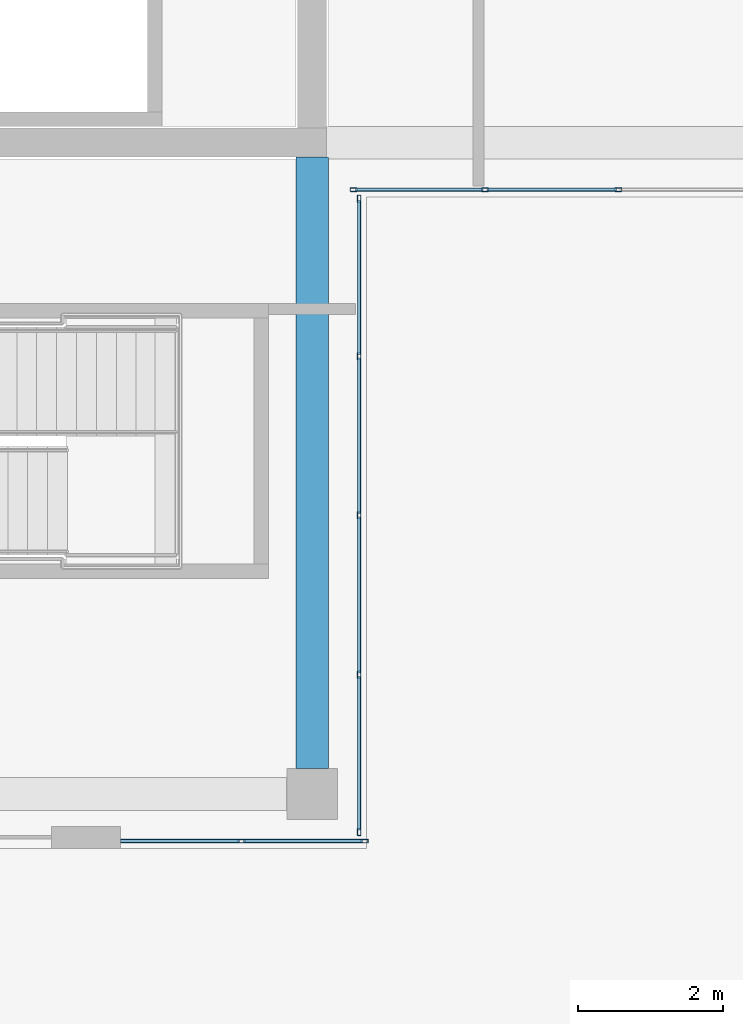
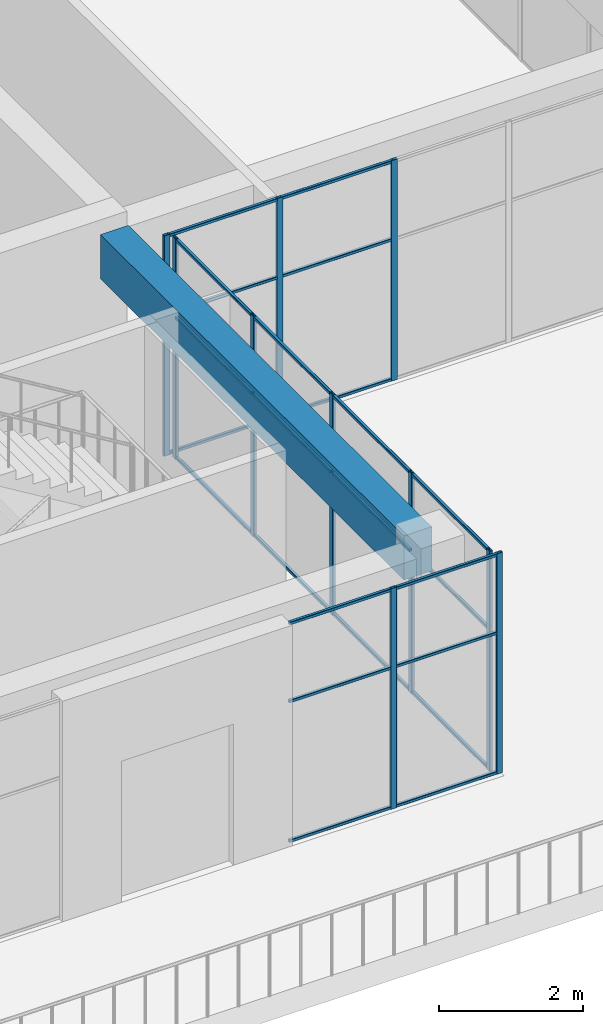
# One storey, part 23 of 49: 34 members, 1 beam, 3 elements without a shape of their own.
"""IFC4 building model written with IfcOpenShell, lengths in metres."""

from ifc_helpers import new_model, si_unit, direction, frame, origin, origin_2d, place, context, subcontext, project, spatial, rectangle, hollow_rectangle, extrude, material, layer, layer_set, material_profile, profile_set, type_object, element, aggregate, save


model = new_model("IFC4")

# Units and contexts
model_context = context("Model", 3, precision=1e-05, world=origin(), true_north=direction((0.0, 1.0)))
body_context = subcontext(model_context, "Body", "Model", "MODEL_VIEW")
ifc_project = project(units=[si_unit("LENGTHUNIT", "METRE"), si_unit("AREAUNIT", "SQUARE_METRE"), si_unit("VOLUMEUNIT", "CUBIC_METRE"), si_unit("PLANEANGLEUNIT", "RADIAN"), si_unit("MASSUNIT", "GRAM", prefix="KILO")], contexts=[model_context])

# Site, building, storey
site_placement = place(None, origin())
site = spatial("IfcSite", under=ifc_project, at=site_placement, CompositionType="ELEMENT")
building_placement = place(site_placement, origin())
building = spatial("IfcBuilding", under=site, at=building_placement, Name="Tuart Plaza Theatre", CompositionType="ELEMENT")
storey_placement = place(building_placement, frame((0.0, 0.0, 29.5)))
storey = spatial("IfcBuildingStorey", under=building, at=storey_placement, Name="L07", CompositionType="ELEMENT", Elevation=29.5)

# Beam
ifc_material_1 = material(Name="Concrete N40 (40 MPa)", Category="concrete")
ifc_material_profile_1 = material_profile(ifc_material_1, rectangle(XDim=0.449951171875, YDim=0.75, at=origin_2d()), Name="BEAM 450x750 Concrete N40 (40 MPa)")
ifc_profile_set_1 = profile_set([ifc_material_profile_1], Name="Concrete N40 (40 MPa)")
beam_type = type_object("IfcBeamType", Name="BEAM 450x750 Concrete N40 (40 MPa)", PredefinedType="BEAM", material=ifc_profile_set_1)
beam_placement = place(storey_placement, frame((141.0, 56.35009765625, 3.375), z_axis=(0.0, 1.0, 0.0), x_axis=(-1.0, 0.0, 0.0)))
element("IfcBeam", 1, at=beam_placement, inside=storey, type_object=beam_type, Name="RB272", PredefinedType="BEAM", context=body_context, shape_type="SweptSolid", body=[
    extrude(rectangle(XDim=0.449951171875, YDim=0.75, at=origin_2d()), origin(), (0.0, 0.0, 1.0), 8.449951171875),
])

# Curtain wall, members
ifc_material_2 = material(Name="Aluminium and glass", Category="aluminium")
ifc_layer = layer(ifc_material_2, 0.10009765625)
ifc_layer_set = layer_set([ifc_layer], Name="CURTAIN WALL 2000 module")
curtain_wall_type = type_object("IfcCurtainWallType", Name="CURTAIN WALL 2000 module", PredefinedType="NOTDEFINED", material=ifc_layer_set)
curtain_wall_1_placement = place(storey_placement, origin())
curtain_wall_1 = element("IfcCurtainWall", 2, at=curtain_wall_1_placement, inside=storey, type_object=curtain_wall_type, Name="CW89", PredefinedType="NOTDEFINED")
ifc_material_3 = material(Name="Aluminium 6063-T5", Category="aluminium")
ifc_material_profile_2 = material_profile(ifc_material_3, hollow_rectangle(XDim=0.050048828125, YDim=0.10009765625, WallThickness=0.00390625, InnerFilletRadius=0.00390625, OuterFilletRadius=0.008056640625, at=origin_2d()), Name="RHS 100x50x4")
ifc_profile_set_2 = profile_set([ifc_material_profile_2], Name="Aluminium 6063-T5")
member_type_1 = type_object("IfcMemberType", Name="MULLION RHS 100x50x4", PredefinedType="MULLION", material=ifc_profile_set_2)
member_1_placement = place(storey_placement, frame((140.02490234375, 55.35009765625, 0.0), z_axis=(0.0, 0.0, 1.0), x_axis=(0.0, 1.0, 0.0)))
member_1 = element("IfcMember", 3, at=member_1_placement, type_object=member_type_1, Name="CW89 mullion 2", PredefinedType="MULLION", context=body_context, shape_type="SweptSolid", body=[
    extrude(hollow_rectangle(XDim=0.050048828125, YDim=0.10009765625, WallThickness=0.00390625, InnerFilletRadius=0.00390625, OuterFilletRadius=0.008056640625, at=origin_2d()), origin(), (0.0, 0.0, 1.0), 3.75),
])
member_2_placement = place(storey_placement, frame((141.72509765625, 55.35009765625, 0.0), z_axis=(0.0, 0.0, 1.0), x_axis=(0.0, 1.0, 0.0)))
member_2 = element("IfcMember", 4, at=member_2_placement, type_object=member_type_1, Name="CW89 mullion 3", PredefinedType="MULLION", context=body_context, shape_type="SweptSolid", body=[
    extrude(hollow_rectangle(XDim=0.050048828125, YDim=0.10009765625, WallThickness=0.00390625, InnerFilletRadius=0.00390625, OuterFilletRadius=0.008056640625, at=origin_2d()), origin(), (0.0, 0.0, 1.0), 3.75),
])

curtain_wall_2_placement = place(storey_placement, origin())
curtain_wall_2 = element("IfcCurtainWall", 5, at=curtain_wall_2_placement, inside=storey, type_object=curtain_wall_type, Name="CW90", PredefinedType="NOTDEFINED")
member_3_placement = place(storey_placement, frame((141.64990234375, 55.47509765625, 0.0), z_axis=(0.0, 0.0, 1.0), x_axis=(-1.0, 0.0, 0.0)))
member_3 = element("IfcMember", 6, at=member_3_placement, type_object=member_type_1, Name="CW90 mullion 1", PredefinedType="MULLION", context=body_context, shape_type="SweptSolid", body=[
    extrude(hollow_rectangle(XDim=0.050048828125, YDim=0.10009765625, WallThickness=0.00390625, InnerFilletRadius=0.00390625, OuterFilletRadius=0.008056640625, at=origin_2d()), origin(), (0.0, 0.0, 1.0), 3.75),
])
member_4_placement = place(storey_placement, frame((141.64990234375, 57.64990234375, 0.0), z_axis=(0.0, 0.0, 1.0), x_axis=(-1.0, 0.0, 0.0)))
member_4 = element("IfcMember", 7, at=member_4_placement, type_object=member_type_1, Name="CW90 mullion 2", PredefinedType="MULLION", context=body_context, shape_type="SweptSolid", body=[
    extrude(hollow_rectangle(XDim=0.050048828125, YDim=0.10009765625, WallThickness=0.00390625, InnerFilletRadius=0.00390625, OuterFilletRadius=0.008056640625, at=origin_2d()), origin(), (0.0, 0.0, 1.0), 3.75),
])
member_5_placement = place(storey_placement, frame((141.64990234375, 59.85009765625, 0.0), z_axis=(0.0, 0.0, 1.0), x_axis=(-1.0, 0.0, 0.0)))
member_5 = element("IfcMember", 8, at=member_5_placement, type_object=member_type_1, Name="CW90 mullion 3", PredefinedType="MULLION", context=body_context, shape_type="SweptSolid", body=[
    extrude(hollow_rectangle(XDim=0.050048828125, YDim=0.10009765625, WallThickness=0.00390625, InnerFilletRadius=0.00390625, OuterFilletRadius=0.008056640625, at=origin_2d()), origin(), (0.0, 0.0, 1.0), 3.75),
])
member_6_placement = place(storey_placement, frame((141.64990234375, 62.050048828125, 0.0), z_axis=(0.0, 0.0, 1.0), x_axis=(-1.0, 0.0, 0.0)))
member_6 = element("IfcMember", 9, at=member_6_placement, type_object=member_type_1, Name="CW90 mullion 4", PredefinedType="MULLION", context=body_context, shape_type="SweptSolid", body=[
    extrude(hollow_rectangle(XDim=0.050048828125, YDim=0.10009765625, WallThickness=0.00390625, InnerFilletRadius=0.00390625, OuterFilletRadius=0.008056640625, at=origin_2d()), origin(), (0.0, 0.0, 1.0), 3.75),
])
member_7_placement = place(storey_placement, frame((141.64990234375, 64.22509765625, 0.0), z_axis=(0.0, 0.0, 1.0), x_axis=(-1.0, 0.0, 0.0)))
member_7 = element("IfcMember", 10, at=member_7_placement, type_object=member_type_1, Name="CW90 mullion 5", PredefinedType="MULLION", context=body_context, shape_type="SweptSolid", body=[
    extrude(hollow_rectangle(XDim=0.050048828125, YDim=0.10009765625, WallThickness=0.00390625, InnerFilletRadius=0.00390625, OuterFilletRadius=0.008056640625, at=origin_2d()), origin(), (0.0, 0.0, 1.0), 3.75),
])

curtain_wall_3_placement = place(storey_placement, origin())
curtain_wall_3 = element("IfcCurtainWall", 11, at=curtain_wall_3_placement, inside=storey, type_object=curtain_wall_type, Name="CW91", PredefinedType="NOTDEFINED")
member_8_placement = place(storey_placement, frame((141.574951171875, 64.35009765625, 0.0), z_axis=(0.0, 0.0, 1.0), x_axis=(0.0, 1.0, 0.0)))
member_8 = element("IfcMember", 12, at=member_8_placement, type_object=member_type_1, Name="CW91 mullion 1", PredefinedType="MULLION", context=body_context, shape_type="SweptSolid", body=[
    extrude(hollow_rectangle(XDim=0.050048828125, YDim=0.10009765625, WallThickness=0.00390625, InnerFilletRadius=0.00390625, OuterFilletRadius=0.008056640625, at=origin_2d()), origin(), (0.0, 0.0, 1.0), 3.75),
])
member_9_placement = place(storey_placement, frame((143.389892578125, 64.35009765625, 0.0), z_axis=(0.0, 0.0, 1.0), x_axis=(0.0, 1.0, 0.0)))
member_9 = element("IfcMember", 13, at=member_9_placement, type_object=member_type_1, Name="CW91 mullion 2", PredefinedType="MULLION", context=body_context, shape_type="SweptSolid", body=[
    extrude(hollow_rectangle(XDim=0.050048828125, YDim=0.10009765625, WallThickness=0.00390625, InnerFilletRadius=0.00390625, OuterFilletRadius=0.008056640625, at=origin_2d()), origin(), (0.0, 0.0, 1.0), 3.75),
])
member_10_placement = place(storey_placement, frame((145.22998046875, 64.35009765625, 0.0), z_axis=(0.0, 0.0, 1.0), x_axis=(0.0, 1.0, 0.0)))
member_10 = element("IfcMember", 14, at=member_10_placement, type_object=member_type_1, Name="CW91 mullion 3", PredefinedType="MULLION", context=body_context, shape_type="SweptSolid", body=[
    extrude(hollow_rectangle(XDim=0.050048828125, YDim=0.10009765625, WallThickness=0.00390625, InnerFilletRadius=0.00390625, OuterFilletRadius=0.008056640625, at=origin_2d()), origin(), (0.0, 0.0, 1.0), 3.75),
])

# Member
ifc_material_4 = material(Name="Aluminium 6063-T5", Category="aluminium")
ifc_material_profile_3 = material_profile(ifc_material_4, hollow_rectangle(XDim=0.050048828125, YDim=0.050048828125, WallThickness=0.00390625, InnerFilletRadius=0.00390625, OuterFilletRadius=0.008056640625, at=origin_2d()), Name="RHS 50x50x4")
ifc_profile_set_3 = profile_set([ifc_material_profile_3], Name="Aluminium 6063-T5")
member_type_2 = type_object("IfcMemberType", Name="TRANSOM RHS 50x50x4", PredefinedType="USERDEFINED", material=ifc_profile_set_3)
member_11_placement = place(storey_placement, frame((138.35009765625, 55.35009765625, 0.02490234375), z_axis=(1.0, 0.0, 0.0), x_axis=(0.0, 1.0, 0.0)))
member_11 = element("IfcMember", 15, at=member_11_placement, type_object=member_type_2, Name="CW89 transom 1.1", ObjectType="TRANSOM", PredefinedType="USERDEFINED", context=body_context, shape_type="SweptSolid", body=[
    extrude(hollow_rectangle(XDim=0.050048828125, YDim=0.050048828125, WallThickness=0.00390625, InnerFilletRadius=0.00390625, OuterFilletRadius=0.008056640625, at=origin_2d()), origin(), (0.0, 0.0, 1.0), 1.64990234375),
])

member_12_placement = place(storey_placement, frame((138.35009765625, 55.35009765625, 2.39990234375), z_axis=(1.0, 0.0, 0.0), x_axis=(0.0, 1.0, 0.0)))
member_12 = element("IfcMember", 16, at=member_12_placement, type_object=member_type_2, Name="CW89 transom 1.2", ObjectType="TRANSOM", PredefinedType="USERDEFINED", context=body_context, shape_type="SweptSolid", body=[
    extrude(hollow_rectangle(XDim=0.050048828125, YDim=0.050048828125, WallThickness=0.00390625, InnerFilletRadius=0.00390625, OuterFilletRadius=0.008056640625, at=origin_2d()), origin(), (0.0, 0.0, 1.0), 1.64990234375),
])

member_13_placement = place(storey_placement, frame((138.35009765625, 55.35009765625, 3.72509765625), z_axis=(1.0, 0.0, 0.0), x_axis=(0.0, 1.0, 0.0)))
member_13 = element("IfcMember", 17, at=member_13_placement, type_object=member_type_2, Name="CW89 transom 1.3", ObjectType="TRANSOM", PredefinedType="USERDEFINED", context=body_context, shape_type="SweptSolid", body=[
    extrude(hollow_rectangle(XDim=0.050048828125, YDim=0.050048828125, WallThickness=0.00390625, InnerFilletRadius=0.00390625, OuterFilletRadius=0.008056640625, at=origin_2d()), origin(), (0.0, 0.0, 1.0), 1.64990234375),
])

member_14_placement = place(storey_placement, frame((140.050048828125, 55.35009765625, 0.02490234375), z_axis=(1.0, 0.0, 0.0), x_axis=(0.0, 1.0, 0.0)))
member_14 = element("IfcMember", 18, at=member_14_placement, type_object=member_type_2, Name="CW89 transom 2.1", ObjectType="TRANSOM", PredefinedType="USERDEFINED", context=body_context, shape_type="SweptSolid", body=[
    extrude(hollow_rectangle(XDim=0.050048828125, YDim=0.050048828125, WallThickness=0.00390625, InnerFilletRadius=0.00390625, OuterFilletRadius=0.008056640625, at=origin_2d()), origin(), (0.0, 0.0, 1.0), 1.64990234375),
])

member_15_placement = place(storey_placement, frame((140.050048828125, 55.35009765625, 2.39990234375), z_axis=(1.0, 0.0, 0.0), x_axis=(0.0, 1.0, 0.0)))
member_15 = element("IfcMember", 19, at=member_15_placement, type_object=member_type_2, Name="CW89 transom 2.2", ObjectType="TRANSOM", PredefinedType="USERDEFINED", context=body_context, shape_type="SweptSolid", body=[
    extrude(hollow_rectangle(XDim=0.050048828125, YDim=0.050048828125, WallThickness=0.00390625, InnerFilletRadius=0.00390625, OuterFilletRadius=0.008056640625, at=origin_2d()), origin(), (0.0, 0.0, 1.0), 1.64990234375),
])

member_16_placement = place(storey_placement, frame((140.050048828125, 55.35009765625, 3.72509765625), z_axis=(1.0, 0.0, 0.0), x_axis=(0.0, 1.0, 0.0)))
member_16 = element("IfcMember", 20, at=member_16_placement, type_object=member_type_2, Name="CW89 transom 2.3", ObjectType="TRANSOM", PredefinedType="USERDEFINED", context=body_context, shape_type="SweptSolid", body=[
    extrude(hollow_rectangle(XDim=0.050048828125, YDim=0.050048828125, WallThickness=0.00390625, InnerFilletRadius=0.00390625, OuterFilletRadius=0.008056640625, at=origin_2d()), origin(), (0.0, 0.0, 1.0), 1.64990234375),
])

aggregate(curtain_wall_1, [member_1, member_2, member_11, member_12, member_13, member_14, member_15, member_16])

member_17_placement = place(storey_placement, frame((141.64990234375, 55.5, 0.02490234375), z_axis=(0.0, 1.0, 0.0), x_axis=(-1.0, 0.0, 0.0)))
member_17 = element("IfcMember", 21, at=member_17_placement, type_object=member_type_2, Name="CW90 transom 1.1", ObjectType="TRANSOM", PredefinedType="USERDEFINED", context=body_context, shape_type="SweptSolid", body=[
    extrude(hollow_rectangle(XDim=0.050048828125, YDim=0.050048828125, WallThickness=0.00390625, InnerFilletRadius=0.00390625, OuterFilletRadius=0.008056640625, at=origin_2d()), origin(), (0.0, 0.0, 1.0), 2.125),
])

member_18_placement = place(storey_placement, frame((141.64990234375, 55.5, 2.39990234375), z_axis=(0.0, 1.0, 0.0), x_axis=(-1.0, 0.0, 0.0)))
member_18 = element("IfcMember", 22, at=member_18_placement, type_object=member_type_2, Name="CW90 transom 1.2", ObjectType="TRANSOM", PredefinedType="USERDEFINED", context=body_context, shape_type="SweptSolid", body=[
    extrude(hollow_rectangle(XDim=0.050048828125, YDim=0.050048828125, WallThickness=0.00390625, InnerFilletRadius=0.00390625, OuterFilletRadius=0.008056640625, at=origin_2d()), origin(), (0.0, 0.0, 1.0), 2.125),
])

member_19_placement = place(storey_placement, frame((141.64990234375, 55.5, 3.72509765625), z_axis=(0.0, 1.0, 0.0), x_axis=(-1.0, 0.0, 0.0)))
member_19 = element("IfcMember", 23, at=member_19_placement, type_object=member_type_2, Name="CW90 transom 1.3", ObjectType="TRANSOM", PredefinedType="USERDEFINED", context=body_context, shape_type="SweptSolid", body=[
    extrude(hollow_rectangle(XDim=0.050048828125, YDim=0.050048828125, WallThickness=0.00390625, InnerFilletRadius=0.00390625, OuterFilletRadius=0.008056640625, at=origin_2d()), origin(), (0.0, 0.0, 1.0), 2.125),
])

member_20_placement = place(storey_placement, frame((141.64990234375, 57.675048828125, 0.02490234375), z_axis=(0.0, 1.0, 0.0), x_axis=(-1.0, 0.0, 0.0)))
member_20 = element("IfcMember", 24, at=member_20_placement, type_object=member_type_2, Name="CW90 transom 2.1", ObjectType="TRANSOM", PredefinedType="USERDEFINED", context=body_context, shape_type="SweptSolid", body=[
    extrude(hollow_rectangle(XDim=0.050048828125, YDim=0.050048828125, WallThickness=0.00390625, InnerFilletRadius=0.00390625, OuterFilletRadius=0.008056640625, at=origin_2d()), origin(), (0.0, 0.0, 1.0), 2.14990234375),
])

member_21_placement = place(storey_placement, frame((141.64990234375, 57.675048828125, 2.39990234375), z_axis=(0.0, 1.0, 0.0), x_axis=(-1.0, 0.0, 0.0)))
member_21 = element("IfcMember", 25, at=member_21_placement, type_object=member_type_2, Name="CW90 transom 2.2", ObjectType="TRANSOM", PredefinedType="USERDEFINED", context=body_context, shape_type="SweptSolid", body=[
    extrude(hollow_rectangle(XDim=0.050048828125, YDim=0.050048828125, WallThickness=0.00390625, InnerFilletRadius=0.00390625, OuterFilletRadius=0.008056640625, at=origin_2d()), origin(), (0.0, 0.0, 1.0), 2.14990234375),
])

member_22_placement = place(storey_placement, frame((141.64990234375, 57.675048828125, 3.72509765625), z_axis=(0.0, 1.0, 0.0), x_axis=(-1.0, 0.0, 0.0)))
member_22 = element("IfcMember", 26, at=member_22_placement, type_object=member_type_2, Name="CW90 transom 2.3", ObjectType="TRANSOM", PredefinedType="USERDEFINED", context=body_context, shape_type="SweptSolid", body=[
    extrude(hollow_rectangle(XDim=0.050048828125, YDim=0.050048828125, WallThickness=0.00390625, InnerFilletRadius=0.00390625, OuterFilletRadius=0.008056640625, at=origin_2d()), origin(), (0.0, 0.0, 1.0), 2.14990234375),
])

member_23_placement = place(storey_placement, frame((141.64990234375, 59.875, 0.02490234375), z_axis=(0.0, 1.0, 0.0), x_axis=(-1.0, 0.0, 0.0)))
member_23 = element("IfcMember", 27, at=member_23_placement, type_object=member_type_2, Name="CW90 transom 3.1", ObjectType="TRANSOM", PredefinedType="USERDEFINED", context=body_context, shape_type="SweptSolid", body=[
    extrude(hollow_rectangle(XDim=0.050048828125, YDim=0.050048828125, WallThickness=0.00390625, InnerFilletRadius=0.00390625, OuterFilletRadius=0.008056640625, at=origin_2d()), origin(), (0.0, 0.0, 1.0), 2.14990234375),
])

member_24_placement = place(storey_placement, frame((141.64990234375, 59.875, 2.39990234375), z_axis=(0.0, 1.0, 0.0), x_axis=(-1.0, 0.0, 0.0)))
member_24 = element("IfcMember", 28, at=member_24_placement, type_object=member_type_2, Name="CW90 transom 3.2", ObjectType="TRANSOM", PredefinedType="USERDEFINED", context=body_context, shape_type="SweptSolid", body=[
    extrude(hollow_rectangle(XDim=0.050048828125, YDim=0.050048828125, WallThickness=0.00390625, InnerFilletRadius=0.00390625, OuterFilletRadius=0.008056640625, at=origin_2d()), origin(), (0.0, 0.0, 1.0), 2.14990234375),
])

member_25_placement = place(storey_placement, frame((141.64990234375, 59.875, 3.72509765625), z_axis=(0.0, 1.0, 0.0), x_axis=(-1.0, 0.0, 0.0)))
member_25 = element("IfcMember", 29, at=member_25_placement, type_object=member_type_2, Name="CW90 transom 3.3", ObjectType="TRANSOM", PredefinedType="USERDEFINED", context=body_context, shape_type="SweptSolid", body=[
    extrude(hollow_rectangle(XDim=0.050048828125, YDim=0.050048828125, WallThickness=0.00390625, InnerFilletRadius=0.00390625, OuterFilletRadius=0.008056640625, at=origin_2d()), origin(), (0.0, 0.0, 1.0), 2.14990234375),
])

member_26_placement = place(storey_placement, frame((141.64990234375, 62.074951171875, 0.02490234375), z_axis=(0.0, 1.0, 0.0), x_axis=(-1.0, 0.0, 0.0)))
member_26 = element("IfcMember", 30, at=member_26_placement, type_object=member_type_2, Name="CW90 transom 4.1", ObjectType="TRANSOM", PredefinedType="USERDEFINED", context=body_context, shape_type="SweptSolid", body=[
    extrude(hollow_rectangle(XDim=0.050048828125, YDim=0.050048828125, WallThickness=0.00390625, InnerFilletRadius=0.00390625, OuterFilletRadius=0.008056640625, at=origin_2d()), origin(), (0.0, 0.0, 1.0), 2.125),
])

member_27_placement = place(storey_placement, frame((141.64990234375, 62.074951171875, 2.39990234375), z_axis=(0.0, 1.0, 0.0), x_axis=(-1.0, 0.0, 0.0)))
member_27 = element("IfcMember", 31, at=member_27_placement, type_object=member_type_2, Name="CW90 transom 4.2", ObjectType="TRANSOM", PredefinedType="USERDEFINED", context=body_context, shape_type="SweptSolid", body=[
    extrude(hollow_rectangle(XDim=0.050048828125, YDim=0.050048828125, WallThickness=0.00390625, InnerFilletRadius=0.00390625, OuterFilletRadius=0.008056640625, at=origin_2d()), origin(), (0.0, 0.0, 1.0), 2.125),
])

member_28_placement = place(storey_placement, frame((141.64990234375, 62.074951171875, 3.72509765625), z_axis=(0.0, 1.0, 0.0), x_axis=(-1.0, 0.0, 0.0)))
member_28 = element("IfcMember", 32, at=member_28_placement, type_object=member_type_2, Name="CW90 transom 4.3", ObjectType="TRANSOM", PredefinedType="USERDEFINED", context=body_context, shape_type="SweptSolid", body=[
    extrude(hollow_rectangle(XDim=0.050048828125, YDim=0.050048828125, WallThickness=0.00390625, InnerFilletRadius=0.00390625, OuterFilletRadius=0.008056640625, at=origin_2d()), origin(), (0.0, 0.0, 1.0), 2.125),
])

aggregate(curtain_wall_2, [member_3, member_4, member_5, member_6, member_7, member_17, member_18, member_19, member_20, member_21, member_22, member_23, member_24, member_25, member_26, member_27, member_28])

member_29_placement = place(storey_placement, frame((141.60009765625, 64.35009765625, 0.02490234375), z_axis=(1.0, 0.0, 0.0), x_axis=(0.0, 1.0, 0.0)))
member_29 = element("IfcMember", 33, at=member_29_placement, type_object=member_type_2, Name="CW91 transom 1.1", ObjectType="TRANSOM", PredefinedType="USERDEFINED", context=body_context, shape_type="SweptSolid", body=[
    extrude(hollow_rectangle(XDim=0.050048828125, YDim=0.050048828125, WallThickness=0.00390625, InnerFilletRadius=0.00390625, OuterFilletRadius=0.008056640625, at=origin_2d()), origin(), (0.0, 0.0, 1.0), 1.764892578125),
])

member_30_placement = place(storey_placement, frame((141.60009765625, 64.35009765625, 2.39990234375), z_axis=(1.0, 0.0, 0.0), x_axis=(0.0, 1.0, 0.0)))
member_30 = element("IfcMember", 34, at=member_30_placement, type_object=member_type_2, Name="CW91 transom 1.2", ObjectType="TRANSOM", PredefinedType="USERDEFINED", context=body_context, shape_type="SweptSolid", body=[
    extrude(hollow_rectangle(XDim=0.050048828125, YDim=0.050048828125, WallThickness=0.00390625, InnerFilletRadius=0.00390625, OuterFilletRadius=0.008056640625, at=origin_2d()), origin(), (0.0, 0.0, 1.0), 1.764892578125),
])

member_31_placement = place(storey_placement, frame((141.60009765625, 64.35009765625, 3.72509765625), z_axis=(1.0, 0.0, 0.0), x_axis=(0.0, 1.0, 0.0)))
member_31 = element("IfcMember", 35, at=member_31_placement, type_object=member_type_2, Name="CW91 transom 1.3", ObjectType="TRANSOM", PredefinedType="USERDEFINED", context=body_context, shape_type="SweptSolid", body=[
    extrude(hollow_rectangle(XDim=0.050048828125, YDim=0.050048828125, WallThickness=0.00390625, InnerFilletRadius=0.00390625, OuterFilletRadius=0.008056640625, at=origin_2d()), origin(), (0.0, 0.0, 1.0), 1.764892578125),
])

member_32_placement = place(storey_placement, frame((143.4150390625, 64.35009765625, 0.02490234375), z_axis=(1.0, 0.0, 0.0), x_axis=(0.0, 1.0, 0.0)))
member_32 = element("IfcMember", 36, at=member_32_placement, type_object=member_type_2, Name="CW91 transom 2.1", ObjectType="TRANSOM", PredefinedType="USERDEFINED", context=body_context, shape_type="SweptSolid", body=[
    extrude(hollow_rectangle(XDim=0.050048828125, YDim=0.050048828125, WallThickness=0.00390625, InnerFilletRadius=0.00390625, OuterFilletRadius=0.008056640625, at=origin_2d()), origin(), (0.0, 0.0, 1.0), 1.7900390625),
])

member_33_placement = place(storey_placement, frame((143.4150390625, 64.35009765625, 2.39990234375), z_axis=(1.0, 0.0, 0.0), x_axis=(0.0, 1.0, 0.0)))
member_33 = element("IfcMember", 37, at=member_33_placement, type_object=member_type_2, Name="CW91 transom 2.2", ObjectType="TRANSOM", PredefinedType="USERDEFINED", context=body_context, shape_type="SweptSolid", body=[
    extrude(hollow_rectangle(XDim=0.050048828125, YDim=0.050048828125, WallThickness=0.00390625, InnerFilletRadius=0.00390625, OuterFilletRadius=0.008056640625, at=origin_2d()), origin(), (0.0, 0.0, 1.0), 1.7900390625),
])

member_34_placement = place(storey_placement, frame((143.4150390625, 64.35009765625, 3.72509765625), z_axis=(1.0, 0.0, 0.0), x_axis=(0.0, 1.0, 0.0)))
member_34 = element("IfcMember", 38, at=member_34_placement, type_object=member_type_2, Name="CW91 transom 2.3", ObjectType="TRANSOM", PredefinedType="USERDEFINED", context=body_context, shape_type="SweptSolid", body=[
    extrude(hollow_rectangle(XDim=0.050048828125, YDim=0.050048828125, WallThickness=0.00390625, InnerFilletRadius=0.00390625, OuterFilletRadius=0.008056640625, at=origin_2d()), origin(), (0.0, 0.0, 1.0), 1.7900390625),
])

aggregate(curtain_wall_3, [member_8, member_9, member_10, member_29, member_30, member_31, member_32, member_33, member_34])

save(model, "model.ifc")
